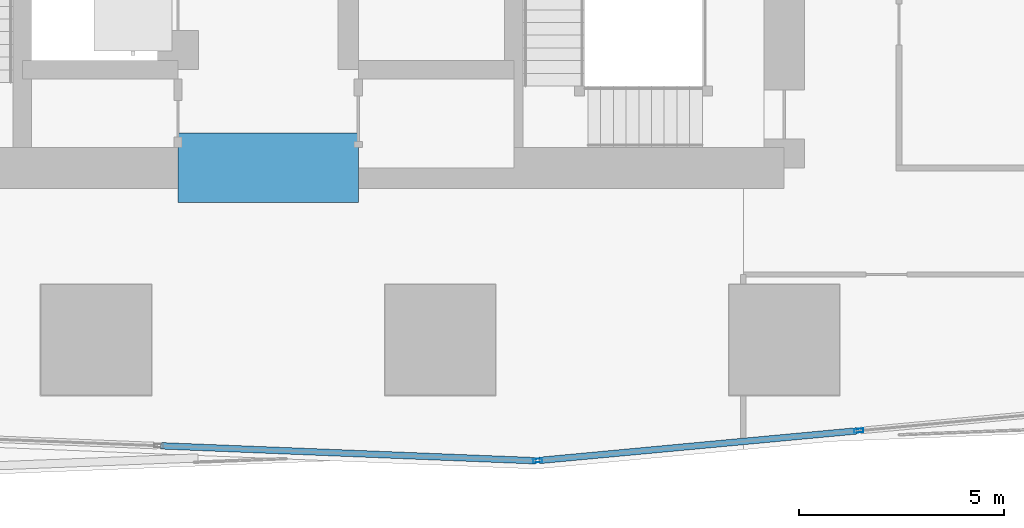
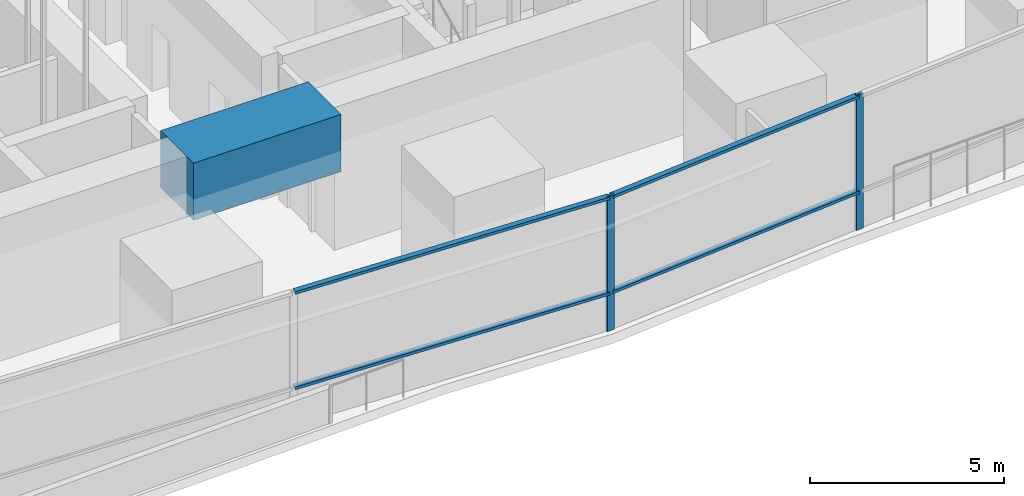
# One storey, part 5 of 39: 6 members, 1 beam, 2 elements without a shape of their own.
"""IFC4 building model written with IfcOpenShell, lengths in metres."""

from ifc_helpers import new_model, si_unit, direction, frame, origin, origin_2d, place, context, subcontext, project, spatial, rectangle, hollow_rectangle, extrude, material, material_profile, profile_set, type_object, element, aggregate, save


model = new_model("IFC4")

# Units and contexts
model_context = context("Model", 3, precision=1e-05, world=origin(), true_north=direction((0.0, 1.0)))
body_context = subcontext(model_context, "Body", "Model", "MODEL_VIEW")
ifc_project = project(units=[si_unit("LENGTHUNIT", "METRE"), si_unit("AREAUNIT", "SQUARE_METRE"), si_unit("VOLUMEUNIT", "CUBIC_METRE"), si_unit("PLANEANGLEUNIT", "RADIAN"), si_unit("MASSUNIT", "GRAM", prefix="KILO")], contexts=[model_context])

# Site, building, storey
site_placement = place(None, origin())
site = spatial("IfcSite", under=ifc_project, at=site_placement, CompositionType="ELEMENT")
building_placement = place(site_placement, origin())
building = spatial("IfcBuilding", under=site, at=building_placement, Name="Rekha Terrace Tower", CompositionType="ELEMENT")
storey_placement = place(building_placement, frame((0.0, 0.0, 168.199951171875)))
storey = spatial("IfcBuildingStorey", under=building, at=storey_placement, Name="L42", CompositionType="ELEMENT", Elevation=168.199951171875)

# Curtain wall, members
ifc_material_1 = material(Name="Aluminium framing", Category="aluminium")
curtain_wall_type = type_object("IfcCurtainWallType", Name="CW5 sky garden glazing", PredefinedType="USERDEFINED", material=ifc_material_1)
curtain_wall_1_placement = place(storey_placement, origin())
curtain_wall_1 = element("IfcCurtainWall", 1, at=curtain_wall_1_placement, inside=storey, type_object=curtain_wall_type, Name="CW5 sky garden curtain wall", ObjectType="SKY GARDEN CURTAIN WALL", PredefinedType="USERDEFINED")
ifc_material_2 = material(Name="Aluminium mullion section", Category="aluminium")
ifc_material_profile_1 = material_profile(ifc_material_2, hollow_rectangle(XDim=0.090087890625, YDim=0.219970703125, WallThickness=0.00390625, at=origin_2d()), Name="AL RHS 90x220")
ifc_profile_set_1 = profile_set([ifc_material_profile_1], Name="Aluminium mullion section")
member_type_1 = type_object("IfcMemberType", Name="CW5 mullion RHS 90 x 220", PredefinedType="MULLION", material=ifc_profile_set_1)
member_1_placement = place(storey_placement, frame((44.37939453125, 13.8544921875, 0.0), z_axis=(0.0, 0.0, 1.0), x_axis=(-0.092708869546, 0.995693258744, 0.0)))
member_1 = element("IfcMember", 2, at=member_1_placement, type_object=member_type_1, Name="CW5 mullion 1", PredefinedType="MULLION", context=body_context, shape_type="SweptSolid", body=[
    extrude(hollow_rectangle(XDim=0.090087890625, YDim=0.219970703125, WallThickness=0.00390625, at=origin_2d()), origin(), (0.0, 0.0, 1.0), 4.25),
])
member_2_placement = place(storey_placement, frame((52.2197265625, 14.58447265625, 0.0), z_axis=(0.0, 0.0, 1.0), x_axis=(-0.092708869546, 0.995693258744, 0.0)))
member_2 = element("IfcMember", 3, at=member_2_placement, type_object=member_type_1, Name="CW5 mullion 2", PredefinedType="MULLION", context=body_context, shape_type="SweptSolid", body=[
    extrude(hollow_rectangle(XDim=0.090087890625, YDim=0.219970703125, WallThickness=0.00390625, at=origin_2d()), origin(), (0.0, 0.0, 1.0), 4.25),
])

curtain_wall_2_placement = place(storey_placement, origin())
curtain_wall_2 = element("IfcCurtainWall", 4, at=curtain_wall_2_placement, inside=storey, type_object=curtain_wall_type, Name="CW5 sky garden curtain wall", ObjectType="SKY GARDEN CURTAIN WALL", PredefinedType="USERDEFINED")
ifc_material_3 = material(Name="Aluminium transom section", Category="aluminium")
ifc_material_profile_2 = material_profile(ifc_material_3, hollow_rectangle(XDim=0.159912109375, YDim=0.090087890625, WallThickness=0.0029296875, at=origin_2d()), Name="AL RHS 160x90")
ifc_profile_set_2 = profile_set([ifc_material_profile_2], Name="Aluminium transom section")
member_type_2 = type_object("IfcMemberType", Name="CW5 transom RHS 90 x 160", PredefinedType="USERDEFINED", material=ifc_profile_set_2)
member_3_placement = place(storey_placement, frame((35.1767578125, 14.2158203125, 1.199951171875), z_axis=(0.999204614018, -0.03987655107, 0.0), x_axis=(0.03987655107, 0.999204614018, 0.0)))
member_3 = element("IfcMember", 5, at=member_3_placement, type_object=member_type_2, Name="CW5 transom 4.2", ObjectType="TRANSOM", PredefinedType="USERDEFINED", context=body_context, shape_type="SweptSolid", body=[
    extrude(hollow_rectangle(XDim=0.159912109375, YDim=0.090087890625, WallThickness=0.0029296875, at=origin_2d()), origin(), (0.0, 0.0, 1.0), 9.165283203125),
])
member_4_placement = place(storey_placement, frame((35.1767578125, 14.2158203125, 4.205078125), z_axis=(0.999204614018, -0.03987655107, 0.0), x_axis=(0.03987655107, 0.999204614018, 0.0)))
member_4 = element("IfcMember", 6, at=member_4_placement, type_object=member_type_2, Name="CW5 transom 4.3", ObjectType="TRANSOM", PredefinedType="USERDEFINED", context=body_context, shape_type="SweptSolid", body=[
    extrude(hollow_rectangle(XDim=0.159912109375, YDim=0.090087890625, WallThickness=0.0029296875, at=origin_2d()), origin(), (0.0, 0.0, 1.0), 9.165283203125),
])
aggregate(curtain_wall_2, [member_3, member_4])

# Member
member_5_placement = place(storey_placement, frame((44.42431640625, 13.858642578125, 1.199951171875), z_axis=(0.995692870549, 0.092713038661, 0.0), x_axis=(-0.092713038661, 0.995692870549, 0.0)))
member_5 = element("IfcMember", 7, at=member_5_placement, type_object=member_type_2, Name="CW5 transom 1.2", ObjectType="TRANSOM", PredefinedType="USERDEFINED", context=body_context, shape_type="SweptSolid", body=[
    extrude(hollow_rectangle(XDim=0.159912109375, YDim=0.090087890625, WallThickness=0.0029296875, at=origin_2d()), origin(), (0.0, 0.0, 1.0), 7.783935546875),
])

member_6_placement = place(storey_placement, frame((44.42431640625, 13.858642578125, 4.205078125), z_axis=(0.995692870549, 0.092713038661, 0.0), x_axis=(-0.092713038661, 0.995692870549, 0.0)))
member_6 = element("IfcMember", 8, at=member_6_placement, type_object=member_type_2, Name="CW5 transom 1.3", ObjectType="TRANSOM", PredefinedType="USERDEFINED", context=body_context, shape_type="SweptSolid", body=[
    extrude(hollow_rectangle(XDim=0.159912109375, YDim=0.090087890625, WallThickness=0.0029296875, at=origin_2d()), origin(), (0.0, 0.0, 1.0), 7.783935546875),
])

aggregate(curtain_wall_1, [member_1, member_2, member_5, member_6])

# Beam
ifc_material_4 = material(Name="Concrete M60", Category="concrete")
ifc_material_profile_3 = material_profile(ifc_material_4, rectangle(XDim=1.699951171875, YDim=1.800048828125, at=origin_2d()), Name="RC 1700x1800")
ifc_profile_set_3 = profile_set([ifc_material_profile_3], Name="Concrete M60")
beam_type = type_object("IfcBeamType", Name="LB3B 1700x1800 diagonally reinforced coupling beam", PredefinedType="LINTEL", material=ifc_profile_set_3)
beam_placement = place(storey_placement, frame((35.60009765625, 21.0, 3.60009765625), z_axis=(1.0, 0.0, 0.0), x_axis=(0.0, 1.0, 0.0)))
element("IfcBeam", 9, at=beam_placement, inside=storey, type_object=beam_type, Name="Coupling beam LB3B S L42", PredefinedType="LINTEL", context=body_context, shape_type="SweptSolid", body=[
    extrude(rectangle(XDim=1.699951171875, YDim=1.800048828125, at=origin_2d()), origin(), (0.0, 0.0, 1.0), 4.39990234375),
])

save(model, "model.ifc")
